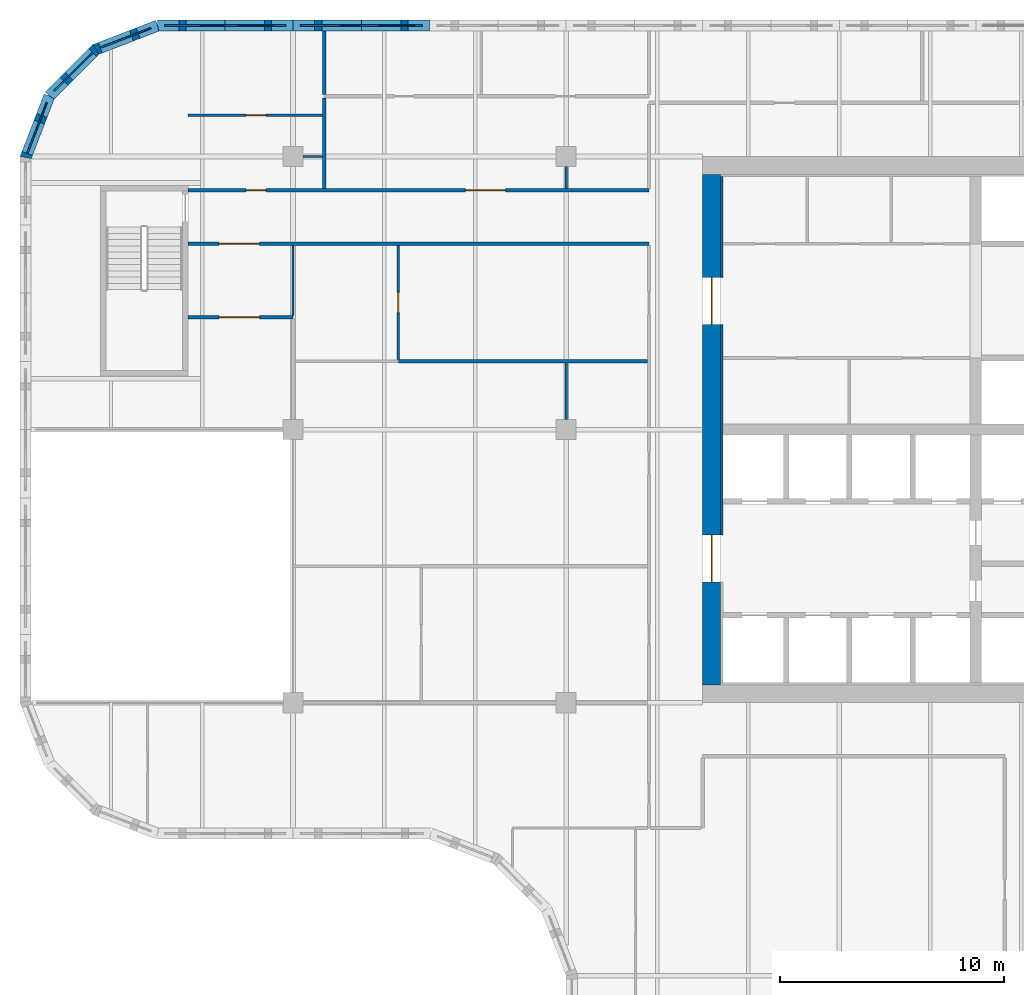
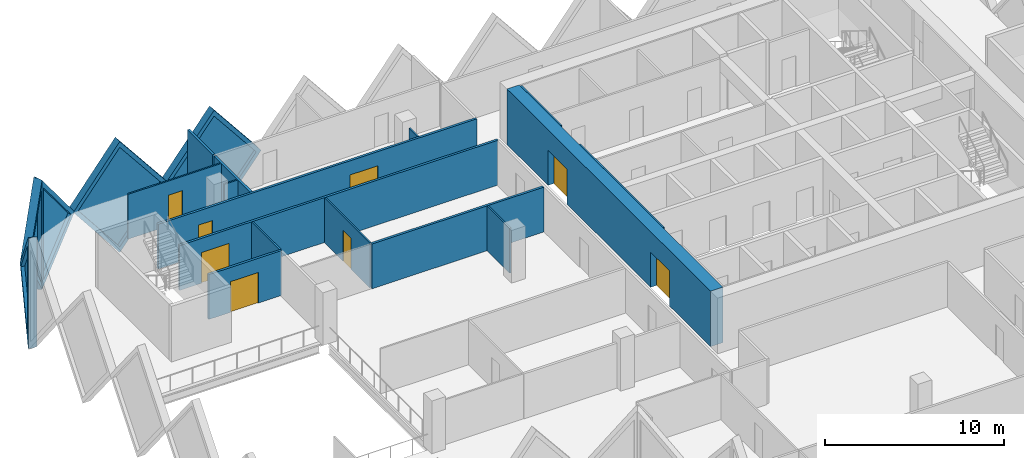
# One storey, part 8 of 19: 20 walls, 8 doors, 5 plates, 13 openings.
"""IFC4 building model written with IfcOpenShell, lengths in metres."""

from ifc_helpers import new_model, si_unit, direction, frame, frame_2d, origin, place, context, subcontext, project, spatial, polyline, rectangle, outline, extrude, faceted_brep, source, transform, mapped, material, layer, layer_set, type_object, element, fill, save


model = new_model("IFC4")

# Units and contexts
model_context = context("Model", 3, precision=1e-05, world=origin(), true_north=direction((0.0, 1.0)))
body_context = subcontext(model_context, "Body", "Model", "MODEL_VIEW")
ifc_project = project(units=[si_unit("LENGTHUNIT", "METRE"), si_unit("AREAUNIT", "SQUARE_METRE"), si_unit("VOLUMEUNIT", "CUBIC_METRE"), si_unit("PLANEANGLEUNIT", "RADIAN"), si_unit("MASSUNIT", "GRAM", prefix="KILO")], contexts=[model_context])

# Site, building, storey
site_placement = place(None, origin())
site = spatial("IfcSite", under=ifc_project, at=site_placement, CompositionType="ELEMENT")
building_placement = place(site_placement, origin())
building = spatial("IfcBuilding", under=site, at=building_placement, Name="Tessera Gate Towers", CompositionType="ELEMENT")
storey_placement = place(building_placement, frame((0.0, 0.0, 87.60009765625)))
storey = spatial("IfcBuildingStorey", under=building, at=storey_placement, Name="L21", CompositionType="ELEMENT", Elevation=87.60009765625)

# Wall, openings, doors
ifc_material_1 = material(Name="Concrete C60/75", Category="concrete")
ifc_layer_1 = layer(ifc_material_1, 0.800048828125)
ifc_layer_set_1 = layer_set([ifc_layer_1], Name="CORE SHEAR WALL 800 C60/75")
wall_type_1 = type_object("IfcWallType", Name="CORE SHEAR WALL 800 C60/75", PredefinedType="SHEAR", material=ifc_layer_set_1)
wall_1_placement = place(storey_placement, frame((30.89990234375, 25.199951171875, 0.0), z_axis=(0.0, 0.0, 1.0), x_axis=(0.0, 1.0, 0.0)))
wall_1 = element("IfcWall", 1, at=wall_1_placement, inside=storey, type_object=wall_type_1, Name="Core wall W L21", PredefinedType="SHEAR", context=body_context, shape_type="SweptSolid", body=[
    extrude(rectangle(XDim=22.800048828125, YDim=0.800048828125, at=frame_2d((11.39990234375, 0.0))), origin(), (0.0, 0.0, 1.0), 3.7998046875),
])
shared_shape_1 = source(origin(), body_context, "Body", "SweptSolid", [
    extrude(rectangle(XDim=2.10009765625, YDim=2.39990234375, at=frame_2d((1.050048828125, 1.199951171875))), frame((0.0, 0.409912109375, 0.0), z_axis=(0.0, -1.0, 0.0), x_axis=(1.0, 0.0, 0.0)), (0.0, 0.0, 1.0), 0.820068359375),
])
opening_1_placement = place(wall_1_placement, frame((4.60009765625, 0.0, 0.0)))
opening_1 = element("IfcOpeningElement", 2, at=opening_1_placement, cuts=wall_1, Name="Opening DD-T1-14-02", PredefinedType="OPENING", context=body_context, shape_type="MappedRepresentation", body=[
    mapped(shared_shape_1, transform((0.0, 0.0, 0.0), scale=1.0)),
])
opening_2_placement = place(wall_1_placement, frame((16.10009765625, 0.0, 0.0)))
opening_2 = element("IfcOpeningElement", 3, at=opening_2_placement, cuts=wall_1, Name="Opening DD-T1-14-03", PredefinedType="OPENING", context=body_context, shape_type="MappedRepresentation", body=[
    mapped(shared_shape_1, transform((0.0, 0.0, 0.0), scale=1.0)),
])
ifc_material_2 = material(Name="Hollow steel fire door", Category="steel")
door_type_1 = type_object("IfcDoorType", Name="CORE DOOR DD 2100x2400", OperationType="NOTDEFINED", PredefinedType="DOOR", material=ifc_material_2)
shared_shape_2 = source(origin(), body_context, "Body", "SweptSolid", [
    extrude(rectangle(XDim=2.10009765625, YDim=2.39990234375, at=frame_2d((1.050048828125, 1.199951171875))), frame((0.0, 0.02490234375, 0.0), z_axis=(0.0, -1.0, 0.0), x_axis=(1.0, 0.0, 0.0)), (0.0, 0.0, 1.0), 0.050048828125),
])
door_1_placement = place(opening_1_placement, origin())
door_1 = element("IfcDoor", 4, at=door_1_placement, inside=storey, type_object=door_type_1, Name="Core entrance door", OperationType="DOUBLE_DOOR_SINGLE_SWING", OverallHeight=2.39990234375, OverallWidth=2.10009765625, PredefinedType="DOOR", context=body_context, shape_type="MappedRepresentation", body=[
    mapped(shared_shape_2, transform((0.0, 0.0, 0.0), scale=1.0)),
])
fill(opening_1, door_1)
door_2_placement = place(opening_2_placement, origin())
door_2 = element("IfcDoor", 5, at=door_2_placement, inside=storey, type_object=door_type_1, Name="Core entrance door", OperationType="DOUBLE_DOOR_SINGLE_SWING", OverallHeight=2.39990234375, OverallWidth=2.10009765625, PredefinedType="DOOR", context=body_context, shape_type="MappedRepresentation", body=[
    mapped(shared_shape_2, transform((0.0, 0.0, 0.0), scale=1.0)),
])
fill(opening_2, door_2)

# Walls
ifc_material_3 = material(Name="Concrete C60/75", Category="concrete")
ifc_layer_2 = layer(ifc_material_3, 0.10009765625)
ifc_layer_set_2 = layer_set([ifc_layer_2], Name="CORE WALL THICKENING 100")
wall_type_2 = type_object("IfcWallType", Name="CORE WALL THICKENING 100", PredefinedType="SOLIDWALL", material=ifc_layer_set_2)
wall_2_placement = place(storey_placement, frame((31.35009765625, 31.89990234375, 0.0), z_axis=(0.0, 0.0, 1.0), x_axis=(0.0, 1.0, 0.0)))
element("IfcWall", 6, at=wall_2_placement, inside=storey, type_object=wall_type_2, Name="Core wall thickening W L21", PredefinedType="SOLIDWALL", context=body_context, shape_type="SweptSolid", body=[
    extrude(rectangle(XDim=9.400146484375, YDim=0.10009765625, at=frame_2d((4.7001953125, 0.0))), origin(), (0.0, 0.0, 1.0), 3.7998046875),
])
wall_3_placement = place(storey_placement, frame((31.35009765625, 43.39990234375, 0.0), z_axis=(0.0, 0.0, 1.0), x_axis=(0.0, 1.0, 0.0)))
element("IfcWall", 7, at=wall_3_placement, inside=storey, type_object=wall_type_2, Name="Core wall thickening W L21", PredefinedType="SOLIDWALL", context=body_context, shape_type="SweptSolid", body=[
    extrude(rectangle(XDim=4.5, YDim=0.10009765625, at=frame_2d((2.25, 0.0))), origin(), (0.0, 0.0, 1.0), 3.7998046875),
])

# Wall, opening, door
ifc_material_4 = material(Name="Gypsum board on steel studs, mineral wool", Category="steel")
ifc_layer_3 = layer(ifc_material_4, 0.14990234375)
ifc_layer_set_3 = layer_set([ifc_layer_3], Name="CORRIDOR WALL 150")
wall_type_3 = type_object("IfcWallType", Name="CORRIDOR WALL 150", PredefinedType="PARTITIONING", material=ifc_layer_set_3)
wall_4_placement = place(storey_placement, frame((28.10009765625, 44.89990234375, 0.0), z_axis=(0.0, 0.0, 1.0), x_axis=(-1.0, 0.0, 0.0)))
wall_4 = element("IfcWall", 8, at=wall_4_placement, inside=storey, type_object=wall_type_3, Name="T1-L21-PW-039", PredefinedType="PARTITIONING", context=body_context, shape_type="SweptSolid", body=[
    extrude(rectangle(XDim=20.60009765625, YDim=0.14990234375, at=frame_2d((10.300048828125, 0.0))), origin(), (0.0, 0.0, 1.0), 3.06689453125),
])
shared_shape_3 = source(origin(), body_context, "Body", "SweptSolid", [
    extrude(rectangle(XDim=1.800048828125, YDim=2.10009765625, at=frame_2d((0.89990234375, 1.050048828125))), frame((0.0, 0.0849609375, 0.0), z_axis=(0.0, -1.0, 0.0), x_axis=(1.0, 0.0, 0.0)), (0.0, 0.0, 1.0), 0.169921875),
])
opening_3_placement = place(wall_4_placement, frame((17.39990234375, 0.0, 0.0)))
opening_3 = element("IfcOpeningElement", 9, at=opening_3_placement, cuts=wall_4, Name="Opening D2180FD60-A07-01", PredefinedType="OPENING", context=body_context, shape_type="MappedRepresentation", body=[
    mapped(shared_shape_3, transform((0.0, 0.0, 0.0), scale=1.0)),
])
ifc_material_5 = material(Name="Timber door leaf in steel frame", Category="steel")
door_type_2 = type_object("IfcDoorType", Name="TENANCY ENTRANCE DOUBLE DOOR 1800 FD60", OperationType="NOTDEFINED", PredefinedType="DOOR", material=ifc_material_5)
shared_shape_4 = source(origin(), body_context, "Body", "SweptSolid", [
    extrude(rectangle(XDim=1.800048828125, YDim=2.10009765625, at=frame_2d((0.89990234375, 1.050048828125))), frame((0.0, 0.02490234375, 0.0), z_axis=(0.0, -1.0, 0.0), x_axis=(1.0, 0.0, 0.0)), (0.0, 0.0, 1.0), 0.050048828125),
])
door_3_placement = place(opening_3_placement, origin())
door_3 = element("IfcDoor", 10, at=door_3_placement, inside=storey, type_object=door_type_2, Name="T1-L21-PD-002", OperationType="DOUBLE_DOOR_SINGLE_SWING", OverallHeight=2.10009765625, OverallWidth=1.800048828125, PredefinedType="DOOR", context=body_context, shape_type="MappedRepresentation", body=[
    mapped(shared_shape_4, transform((0.0, 0.0, 0.0), scale=1.0)),
])
fill(opening_3, door_3)

# Wall, openings, doors
wall_5_placement = place(storey_placement, frame((7.5, 47.300048828125, 0.0), z_axis=(0.0, 0.0, 1.0), x_axis=(1.0, 0.0, 0.0)))
wall_5 = element("IfcWall", 11, at=wall_5_placement, inside=storey, type_object=wall_type_3, Name="T1-L21-PW-040", PredefinedType="PARTITIONING", context=body_context, shape_type="SweptSolid", body=[
    extrude(rectangle(XDim=20.60009765625, YDim=0.14990234375, at=frame_2d((10.300048828125, 0.0))), origin(), (0.0, 0.0, 1.0), 3.06689453125),
])
shared_shape_5 = source(origin(), body_context, "Body", "SweptSolid", [
    extrude(rectangle(XDim=0.89990234375, YDim=2.10009765625, at=frame_2d((0.449951171875, 1.050048828125))), frame((0.0, 0.0849609375, 0.0), z_axis=(0.0, -1.0, 0.0), x_axis=(1.0, 0.0, 0.0)), (0.0, 0.0, 1.0), 0.169921875),
])
opening_4_placement = place(wall_5_placement, frame((2.60009765625, 0.0, 0.0)))
opening_4 = element("IfcOpeningElement", 12, at=opening_4_placement, cuts=wall_5, Name="Opening D890FD60-A07-03", PredefinedType="OPENING", context=body_context, shape_type="MappedRepresentation", body=[
    mapped(shared_shape_5, transform((0.0, 0.0, 0.0), scale=1.0)),
])
opening_5_placement = place(wall_5_placement, frame((12.39990234375, 0.0, 0.0)))
opening_5 = element("IfcOpeningElement", 13, at=opening_5_placement, cuts=wall_5, Name="Opening D2180FD60-A07-02", PredefinedType="OPENING", context=body_context, shape_type="MappedRepresentation", body=[
    mapped(shared_shape_3, transform((0.0, 0.0, 0.0), scale=1.0)),
])
ifc_material_6 = material(Name="Timber door leaf in steel frame", Category="steel")
door_type_3 = type_object("IfcDoorType", Name="CORRIDOR DOOR 900 FD60", OperationType="NOTDEFINED", PredefinedType="DOOR", material=ifc_material_6)
shared_shape_6 = source(origin(), body_context, "Body", "SweptSolid", [
    extrude(rectangle(XDim=0.89990234375, YDim=2.10009765625, at=frame_2d((0.449951171875, 1.050048828125))), frame((0.0, 0.02490234375, 0.0), z_axis=(0.0, -1.0, 0.0), x_axis=(1.0, 0.0, 0.0)), (0.0, 0.0, 1.0), 0.050048828125),
])
door_4_placement = place(opening_4_placement, origin())
door_4 = element("IfcDoor", 14, at=door_4_placement, inside=storey, type_object=door_type_3, Name="T1-L21-PD-011", OperationType="SINGLE_SWING_LEFT", OverallHeight=2.10009765625, OverallWidth=0.89990234375, PredefinedType="DOOR", context=body_context, shape_type="MappedRepresentation", body=[
    mapped(shared_shape_6, transform((0.0, 0.0, 0.0), scale=1.0)),
])
fill(opening_4, door_4)
door_5_placement = place(opening_5_placement, origin())
door_5 = element("IfcDoor", 15, at=door_5_placement, inside=storey, type_object=door_type_2, Name="T1-L21-PD-026", OperationType="DOUBLE_DOOR_SINGLE_SWING", OverallHeight=2.10009765625, OverallWidth=1.800048828125, PredefinedType="DOOR", context=body_context, shape_type="MappedRepresentation", body=[
    mapped(shared_shape_4, transform((0.0, 0.0, 0.0), scale=1.0)),
])
fill(opening_5, door_5)

# Wall, opening, door
ifc_material_7 = material(Name="Glass", Category="glass")
ifc_layer_4 = layer(ifc_material_7, 0.10009765625)
ifc_layer_set_4 = layer_set([ifc_layer_4], Name="GLAZED PARTITION 100")
wall_type_4 = type_object("IfcWallType", Name="GLAZED PARTITION 100", PredefinedType="PARTITIONING", material=ifc_layer_set_4)
wall_6_placement = place(storey_placement, frame((16.89990234375, 39.72607421875, 0.0), z_axis=(0.0, 0.0, 1.0), x_axis=(0.0, 1.0, 0.0)))
wall_6 = element("IfcWall", 16, at=wall_6_placement, inside=storey, type_object=wall_type_4, Name="T1-L21-PW-036", PredefinedType="PARTITIONING", context=body_context, shape_type="SweptSolid", body=[
    extrude(rectangle(XDim=5.097900390625, YDim=0.10009765625, at=frame_2d((2.548828125, 0.0))), origin(), (0.0, 0.0, 1.0), 3.06689453125),
])
shared_shape_7 = source(origin(), body_context, "Body", "SweptSolid", [
    extrude(rectangle(XDim=0.89990234375, YDim=2.10009765625, at=frame_2d((0.449951171875, 1.050048828125))), frame((0.0, 0.06005859375, 0.0), z_axis=(0.0, -1.0, 0.0), x_axis=(1.0, 0.0, 0.0)), (0.0, 0.0, 1.0), 0.1201171875),
])
opening_6_placement = place(wall_6_placement, frame((2.10009765625, 0.0, 0.0)))
opening_6 = element("IfcOpeningElement", 17, at=opening_6_placement, cuts=wall_6, Name="Opening D690-A07-01", PredefinedType="OPENING", context=body_context, shape_type="MappedRepresentation", body=[
    mapped(shared_shape_7, transform((0.0, 0.0, 0.0), scale=1.0)),
])
ifc_material_8 = material(Name="Glass in aluminium frame", Category="aluminium")
door_type_4 = type_object("IfcDoorType", Name="GLAZED DOOR 900 NOT RATED", OperationType="NOTDEFINED", PredefinedType="DOOR", material=ifc_material_8)
door_6_placement = place(opening_6_placement, origin())
door_6 = element("IfcDoor", 18, at=door_6_placement, inside=storey, type_object=door_type_4, Name="T1-L21-PD-004", OperationType="SINGLE_SWING_LEFT", OverallHeight=2.10009765625, OverallWidth=0.89990234375, PredefinedType="DOOR", context=body_context, shape_type="MappedRepresentation", body=[
    mapped(shared_shape_6, transform((0.0, 0.0, 0.0), scale=1.0)),
])
fill(opening_6, door_6)

# Wall
wall_7_placement = place(storey_placement, frame((12.199951171875, 41.700927734375, 0.0), z_axis=(0.0, 0.0, 1.0), x_axis=(0.0, 1.0, 0.0)))
element("IfcWall", 19, at=wall_7_placement, inside=storey, type_object=wall_type_4, Name="T1-L21-PW-038", PredefinedType="PARTITIONING", context=body_context, shape_type="SweptSolid", body=[
    extrude(rectangle(XDim=3.123046875, YDim=0.10009765625, at=frame_2d((1.5615234375, 0.0))), origin(), (0.0, 0.0, 1.0), 3.06689453125),
])

# Wall, opening, door
wall_8_placement = place(storey_placement, frame((7.5, 50.64990234375, 0.0), z_axis=(0.0, 0.0, 1.0), x_axis=(1.0, 0.0, 0.0)))
wall_8 = element("IfcWall", 20, at=wall_8_placement, inside=storey, type_object=wall_type_4, Name="T1-L21-PW-045", PredefinedType="PARTITIONING", context=body_context, shape_type="SweptSolid", body=[
    extrude(rectangle(XDim=6.02392578125, YDim=0.10009765625, at=frame_2d((3.011962890625, 0.0))), origin(), (0.0, 0.0, 1.0), 3.06689453125),
])
opening_7_placement = place(wall_8_placement, frame((2.60009765625, 0.0, 0.0)))
opening_7 = element("IfcOpeningElement", 21, at=opening_7_placement, cuts=wall_8, Name="Opening D690-A07-05", PredefinedType="OPENING", context=body_context, shape_type="MappedRepresentation", body=[
    mapped(shared_shape_7, transform((0.0, 0.0, 0.0), scale=1.0)),
])
door_7_placement = place(opening_7_placement, origin())
door_7 = element("IfcDoor", 22, at=door_7_placement, inside=storey, type_object=door_type_4, Name="T1-L21-PD-010", OperationType="SINGLE_SWING_LEFT", OverallHeight=2.10009765625, OverallWidth=0.89990234375, PredefinedType="DOOR", context=body_context, shape_type="MappedRepresentation", body=[
    mapped(shared_shape_6, transform((0.0, 0.0, 0.0), scale=1.0)),
])
fill(opening_7, door_7)

# Walls
ifc_material_9 = material(Name="Gypsum board on steel studs", Category="steel")
ifc_layer_5 = layer(ifc_material_9, 0.10009765625)
ifc_layer_set_5 = layer_set([ifc_layer_5], Name="PARTITION 100")
wall_type_5 = type_object("IfcWallType", Name="PARTITION 100", PredefinedType="PARTITIONING", material=ifc_layer_set_5)
wall_9_placement = place(storey_placement, frame((24.39990234375, 37.050048828125, 0.0), z_axis=(0.0, 0.0, 1.0), x_axis=(0.0, 1.0, 0.0)))
element("IfcWall", 23, at=wall_9_placement, inside=storey, type_object=wall_type_5, Name="T1-L21-PW-033", PredefinedType="PARTITIONING", context=body_context, shape_type="SweptSolid", body=[
    extrude(rectangle(XDim=2.52490234375, YDim=0.10009765625, at=frame_2d((1.262451171875, 0.0))), origin(), (0.0, 0.0, 1.0), 3.06689453125),
])
wall_10_placement = place(storey_placement, frame((24.39990234375, 48.35009765625, 0.0), z_axis=(0.0, 0.0, 1.0), x_axis=(0.0, -1.0, 0.0)))
element("IfcWall", 24, at=wall_10_placement, inside=storey, type_object=wall_type_5, Name="T1-L21-PW-043", PredefinedType="PARTITIONING", context=body_context, shape_type="SweptSolid", body=[
    extrude(rectangle(XDim=0.97509765625, YDim=0.10009765625, at=frame_2d((0.487548828125, 0.0))), origin(), (0.0, 0.0, 1.0), 3.06689453125),
])
wall_11_placement = place(storey_placement, frame((12.64990234375, 48.800048828125, 0.0), z_axis=(0.0, 0.0, 1.0), x_axis=(1.0, 0.0, 0.0)))
element("IfcWall", 25, at=wall_11_placement, inside=storey, type_object=wall_type_5, Name="T1-L21-PW-044", PredefinedType="PARTITIONING", context=body_context, shape_type="SweptSolid", body=[
    extrude(rectangle(XDim=0.875, YDim=0.10009765625, at=frame_2d((0.4375, 0.0))), origin(), (0.0, 0.0, 1.0), 3.06689453125),
])
ifc_material_10 = material(Name="Gypsum board on steel studs, mineral wool", Category="steel")
ifc_layer_6 = layer(ifc_material_10, 0.14990234375)
ifc_layer_set_6 = layer_set([ifc_layer_6], Name="TENANCY WALL 150")
wall_type_6 = type_object("IfcWallType", Name="TENANCY WALL 150", PredefinedType="PARTITIONING", material=ifc_layer_set_6)
wall_12_placement = place(storey_placement, frame((16.89990234375, 39.64990234375, 0.0), z_axis=(0.0, 0.0, 1.0), x_axis=(1.0, 0.0, 0.0)))
element("IfcWall", 26, at=wall_12_placement, inside=storey, type_object=wall_type_6, Name="T1-L21-PW-035", PredefinedType="PARTITIONING", context=body_context, shape_type="SweptSolid", body=[
    extrude(rectangle(XDim=11.1240234375, YDim=0.14990234375, at=frame_2d((5.56201171875, 0.0))), origin(), (0.0, 0.0, 1.0), 3.06689453125),
])

# Wall, opening, door
wall_13_placement = place(storey_placement, frame((12.199951171875, 41.625, 0.0), z_axis=(0.0, 0.0, 1.0), x_axis=(-1.0, 0.0, 0.0)))
wall_13 = element("IfcWall", 27, at=wall_13_placement, inside=storey, type_object=wall_type_6, Name="T1-L21-PW-037", PredefinedType="PARTITIONING", context=body_context, shape_type="SweptSolid", body=[
    extrude(rectangle(XDim=4.699951171875, YDim=0.14990234375, at=frame_2d((2.35009765625, 0.0))), origin(), (0.0, 0.0, 1.0), 3.06689453125),
])
opening_8_placement = place(wall_13_placement, frame((1.5, 0.0, 0.0)))
opening_8 = element("IfcOpeningElement", 28, at=opening_8_placement, cuts=wall_13, Name="Opening D7180-A07-01", PredefinedType="OPENING", context=body_context, shape_type="MappedRepresentation", body=[
    mapped(shared_shape_3, transform((0.0, 0.0, 0.0), scale=1.0)),
])
ifc_material_11 = material(Name="Timber door leaf in steel frame", Category="steel")
door_type_5 = type_object("IfcDoorType", Name="DOUBLE DOOR 1800 NOT RATED", OperationType="NOTDEFINED", PredefinedType="DOOR", material=ifc_material_11)
door_8_placement = place(opening_8_placement, origin())
door_8 = element("IfcDoor", 29, at=door_8_placement, inside=storey, type_object=door_type_5, Name="T1-L21-PD-003", OperationType="DOUBLE_DOOR_SINGLE_SWING", OverallHeight=2.10009765625, OverallWidth=1.800048828125, PredefinedType="DOOR", context=body_context, shape_type="MappedRepresentation", body=[
    mapped(shared_shape_4, transform((0.0, 0.0, 0.0), scale=1.0)),
])
fill(opening_8, door_8)

# Walls
wall_14_placement = place(storey_placement, frame((13.60009765625, 47.3759765625, 0.0), z_axis=(0.0, 0.0, 1.0), x_axis=(0.0, 1.0, 0.0)))
element("IfcWall", 30, at=wall_14_placement, inside=storey, type_object=wall_type_6, Name="T1-L21-PW-041", PredefinedType="PARTITIONING", context=body_context, shape_type="SweptSolid", body=[
    extrude(rectangle(XDim=4.048095703125, YDim=0.14990234375, at=frame_2d((2.02392578125, 0.0))), origin(), (0.0, 0.0, 1.0), 3.06689453125),
])
wall_15_placement = place(storey_placement, frame((13.60009765625, 51.575927734375, 0.0), z_axis=(0.0, 0.0, 1.0), x_axis=(0.0, 1.0, 0.0)))
element("IfcWall", 31, at=wall_15_placement, inside=storey, type_object=wall_type_6, Name="T1-L21-PW-050", PredefinedType="PARTITIONING", context=body_context, shape_type="SweptSolid", body=[
    extrude(rectangle(XDim=2.823974609375, YDim=0.14990234375, at=frame_2d((1.412109375, 0.0))), origin(), (0.0, 0.0, 1.0), 3.06689453125),
])

# Wall, opening, plate
ifc_material_12 = material(Name="Precast concrete C60/75 white", Category="concrete")
ifc_layer_7 = layer(ifc_material_12, 0.5)
ifc_layer_set_7 = layer_set([ifc_layer_7], Name="TS1 tessera")
wall_type_7 = type_object("IfcWallType", Name="TS1 tessera", PredefinedType="SOLIDWALL", material=ifc_layer_set_7)
shared_shape_8 = source(origin(), body_context, "Body", "SweptSolid", [
    extrude(outline(polyline([(3.050048828125, 0.0), (6.10009765625, 3.800048828125), (3.050048828125, 7.599853515625), (0.0, 3.800048828125), (3.050048828125, 0.0)])), frame((0.0, 0.25, 0.0), z_axis=(0.0, -1.0, 0.0), x_axis=(1.0, 0.0, 0.0)), (0.0, 0.0, 1.0), 0.5),
])
wall_16_placement = place(storey_placement, frame((18.300048828125, 54.64990234375, -3.800048828125), z_axis=(0.0, 0.0, 1.0), x_axis=(-1.0, 0.0, 0.0)))
wall_16 = element("IfcWall", 32, at=wall_16_placement, inside=storey, type_object=wall_type_7, Name="Precast tessera T1 TS1-0338", PredefinedType="SOLIDWALL", context=body_context, shape_type="MappedRepresentation", body=[
    mapped(shared_shape_8, transform((0.0, 0.0, 0.0), scale=1.0)),
])
shared_shape_9 = source(origin(), body_context, "Body", "SweptSolid", [
    extrude(outline(polyline([(3.050048828125, 0.3994140625), (5.779541015625, 3.800048828125), (3.050048828125, 7.200439453125), (0.320556640625, 3.800048828125), (3.050048828125, 0.3994140625)])), frame((0.0, 0.260009765625, 0.0), z_axis=(0.0, -1.0, 0.0), x_axis=(1.0, 0.0, 0.0)), (0.0, 0.0, 1.0), 0.52001953125),
])
opening_9_placement = place(wall_16_placement, origin())
opening_9 = element("IfcOpeningElement", 33, at=opening_9_placement, cuts=wall_16, Name="Opening T1-PL2-0682", PredefinedType="OPENING", context=body_context, shape_type="MappedRepresentation", body=[
    mapped(shared_shape_9, transform((0.0, 0.0, 0.0), scale=1.0)),
])
ifc_material_13 = material(Name="Low-e laminated glass", Category="glass")
ifc_layer_8 = layer(ifc_material_13, 0.06005859375)
ifc_layer_set_8 = layer_set([ifc_layer_8], Name="PL2 rhombic pane")
plate_type = type_object("IfcPlateType", Name="PL2 rhombic pane", PredefinedType="SHEET", material=ifc_layer_set_8)
shared_shape_10 = source(origin(), body_context, "Body", "SweptSolid", [
    extrude(outline(polyline([(3.050048828125, 0.3994140625), (5.779541015625, 3.800048828125), (3.050048828125, 7.200439453125), (0.320556640625, 3.800048828125), (3.050048828125, 0.3994140625)])), frame((0.0, 0.030029296875, 0.0), z_axis=(0.0, -1.0, 0.0), x_axis=(1.0, 0.0, 0.0)), (0.0, 0.0, 1.0), 0.06005859375),
])
plate_1_placement = place(opening_9_placement, origin())
plate_1 = element("IfcPlate", 34, at=plate_1_placement, inside=storey, type_object=plate_type, Name="Glass pane T1 PL2-0682", PredefinedType="SHEET", context=body_context, shape_type="MappedRepresentation", body=[
    mapped(shared_shape_10, transform((0.0, 0.0, 0.0), scale=1.0)),
])
fill(opening_9, plate_1)

shared_shape_11 = source(origin(), body_context, "Body", "Brep", [
    faceted_brep([(3.050048828125, -0.25, 0.0), (6.053466796875, -0.25, 3.800048828125), (3.050048828125, -0.25, 7.599853515625), (0.0, -0.25, 3.800048828125), (0.0, 0.25, 3.800048828125), (3.050048828125, 0.25, 7.599853515625), (6.0068359375, 0.25, 3.85888671875), (6.0068359375, 0.25, 3.7412109375), (3.050048828125, 0.25, 0.0), (6.053466796875, 0.0, 3.800048828125)], [[[0, 1, 2, 3]], [[4, 5, 6, 7, 8]], [[8, 7, 9, 1, 0]], [[6, 5, 2, 1, 9]], [[5, 4, 3, 2]], [[4, 8, 0, 3]], [[7, 6, 9]]]),
])
wall_17_placement = place(storey_placement, frame((12.199951171875, 54.64990234375, -3.800048828125), z_axis=(0.0, 0.0, 1.0), x_axis=(-1.0, 0.0, 0.0)))
wall_17 = element("IfcWall", 35, at=wall_17_placement, inside=storey, type_object=wall_type_7, Name="Precast tessera T1 TS1-0339", PredefinedType="SOLIDWALL", context=body_context, shape_type="MappedRepresentation", body=[
    mapped(shared_shape_11, transform((0.0, 0.0, 0.0), scale=1.0)),
])
shared_shape_12 = source(origin(), body_context, "Body", "SweptSolid", [
    extrude(outline(polyline([(3.048583984375, 0.401123046875), (5.73486328125, 3.800048828125), (3.048583984375, 7.19873046875), (0.320556640625, 3.800048828125), (3.048583984375, 0.401123046875)])), frame((0.0, 0.260009765625, 0.0), z_axis=(0.0, -1.0, 0.0), x_axis=(1.0, 0.0, 0.0)), (0.0, 0.0, 1.0), 0.52001953125),
])
opening_10_placement = place(wall_17_placement, origin())
opening_10 = element("IfcOpeningElement", 36, at=opening_10_placement, cuts=wall_17, Name="Opening T1-PL2-0683", PredefinedType="OPENING", context=body_context, shape_type="MappedRepresentation", body=[
    mapped(shared_shape_12, transform((0.0, 0.0, 0.0), scale=1.0)),
])
shared_shape_13 = source(origin(), body_context, "Body", "SweptSolid", [
    extrude(outline(polyline([(3.048583984375, 0.401123046875), (5.73486328125, 3.800048828125), (3.048583984375, 7.19873046875), (0.320556640625, 3.800048828125), (3.048583984375, 0.401123046875)])), frame((0.0, 0.030029296875, 0.0), z_axis=(0.0, -1.0, 0.0), x_axis=(1.0, 0.0, 0.0)), (0.0, 0.0, 1.0), 0.06005859375),
])
plate_2_placement = place(opening_10_placement, origin())
plate_2 = element("IfcPlate", 37, at=plate_2_placement, inside=storey, type_object=plate_type, Name="Glass pane T1 PL2-0683", PredefinedType="SHEET", context=body_context, shape_type="MappedRepresentation", body=[
    mapped(shared_shape_13, transform((0.0, 0.0, 0.0), scale=1.0)),
])
fill(opening_10, plate_2)

ifc_material_14 = material(Name="Precast concrete C60/75 white", Category="concrete")
ifc_layer_9 = layer(ifc_material_14, 0.5)
ifc_layer_set_9 = layer_set([ifc_layer_9], Name="TS3 corner tessera")
wall_type_8 = type_object("IfcWallType", Name="TS3 corner tessera", PredefinedType="SOLIDWALL", material=ifc_layer_set_9)
shared_shape_14 = source(origin(), body_context, "Body", "Brep", [
    faceted_brep([(2.950439453125, -0.25, 0.0), (3.00341796875, -0.25, 0.068359375), (3.00341796875, -0.25, 7.531494140625), (2.950439453125, -0.25, 7.599853515625), (0.0, -0.25, 3.800048828125), (0.046630859375, 0.25, 3.860107421875), (2.897705078125, 0.25, 7.53173828125), (2.897705078125, 0.25, 0.068115234375), (0.046630859375, 0.25, 3.739990234375), (2.950439453125, 0.00048828125, 0.0), (2.950439453125, 0.00048828125, 7.599853515625), (0.0, 0.0, 3.800048828125)], [[[0, 1, 2, 3, 4]], [[5, 6, 7, 8]], [[1, 0, 9]], [[10, 3, 2]], [[6, 5, 11, 4, 3, 10]], [[8, 7, 9, 0, 4, 11]], [[8, 11, 5]], [[1, 9, 7, 6, 10, 2]]]),
])
wall_18_placement = place(storey_placement, frame((6.146484375, 54.64990234375, -3.800048828125), z_axis=(0.0, 0.0, 1.0), x_axis=(-0.932997369089, -0.359883188373, 0.0)))
wall_18 = element("IfcWall", 38, at=wall_18_placement, inside=storey, type_object=wall_type_8, Name="Precast corner tessera T1 TS3-0465", PredefinedType="SOLIDWALL", context=body_context, shape_type="MappedRepresentation", body=[
    mapped(shared_shape_14, transform((0.0, 0.0, 0.0), scale=1.0)),
])
shared_shape_15 = source(origin(), body_context, "Body", "SweptSolid", [
    extrude(outline(polyline([(2.75048828125, 6.934814453125), (0.31640625, 3.800048828125), (2.75048828125, 0.665283203125), (2.75048828125, 6.934814453125)])), frame((0.0, 0.260009765625, 0.0), z_axis=(0.0, -1.0, 0.0), x_axis=(1.0, 0.0, 0.0)), (0.0, 0.0, 1.0), 0.52001953125),
])
opening_11_placement = place(wall_18_placement, origin())
opening_11 = element("IfcOpeningElement", 39, at=opening_11_placement, cuts=wall_18, Name="Opening T1-PL2-0684", PredefinedType="OPENING", context=body_context, shape_type="MappedRepresentation", body=[
    mapped(shared_shape_15, transform((0.0, 0.0, 0.0), scale=1.0)),
])
shared_shape_16 = source(origin(), body_context, "Body", "SweptSolid", [
    extrude(outline(polyline([(2.75048828125, 6.934814453125), (0.31640625, 3.800048828125), (2.75048828125, 0.665283203125), (2.75048828125, 6.934814453125)])), frame((0.0, 0.030029296875, 0.0), z_axis=(0.0, -1.0, 0.0), x_axis=(1.0, 0.0, 0.0)), (0.0, 0.0, 1.0), 0.06005859375),
])
plate_3_placement = place(opening_11_placement, origin())
plate_3 = element("IfcPlate", 40, at=plate_3_placement, inside=storey, type_object=plate_type, Name="Glass pane T1 PL2-0684", PredefinedType="SHEET", context=body_context, shape_type="MappedRepresentation", body=[
    mapped(shared_shape_16, transform((0.0, 0.0, 0.0), scale=1.0)),
])
fill(opening_11, plate_3)

shared_shape_17 = source(origin(), body_context, "Body", "Brep", [
    faceted_brep([(0.052978515625, -0.25, 0.0), (2.9970703125, -0.25, 3.800048828125), (0.052978515625, -0.25, 7.599853515625), (0.0, -0.25, 7.53173828125), (0.0, -0.25, 0.068115234375), (0.10595703125, 0.25, 7.531494140625), (2.944091796875, 0.25, 3.8681640625), (2.944091796875, 0.25, 3.73193359375), (0.10595703125, 0.25, 0.068359375), (2.9970703125, 0.000244140625, 3.800048828125), (0.052978515625, 0.0, 0.0), (0.052978515625, 0.0, 7.599853515625)], [[[0, 1, 2, 3, 4]], [[5, 6, 7, 8]], [[8, 7, 9, 1, 0, 10]], [[6, 5, 11, 2, 1, 9]], [[3, 2, 11]], [[10, 0, 4]], [[8, 10, 4, 3, 11, 5]], [[7, 6, 9]]]),
])
wall_19_placement = place(storey_placement, frame((3.43115234375, 53.62548828125, -3.800048828125), z_axis=(0.0, 0.0, 1.0), x_axis=(-0.707106781187, -0.707106781187, 0.0)))
wall_19 = element("IfcWall", 41, at=wall_19_placement, inside=storey, type_object=wall_type_8, Name="Precast corner tessera T1 TS3-0466", PredefinedType="SOLIDWALL", context=body_context, shape_type="MappedRepresentation", body=[
    mapped(shared_shape_17, transform((0.0, 0.0, 0.0), scale=1.0)),
])
shared_shape_18 = source(origin(), body_context, "Body", "SweptSolid", [
    extrude(outline(polyline([(0.2529296875, 0.666259765625), (2.680908203125, 3.800048828125), (0.2529296875, 6.93359375), (0.2529296875, 0.666259765625)])), frame((0.0, 0.260009765625, 0.0), z_axis=(0.0, -1.0, 0.0), x_axis=(1.0, 0.0, 0.0)), (0.0, 0.0, 1.0), 0.52001953125),
])
opening_12_placement = place(wall_19_placement, origin())
opening_12 = element("IfcOpeningElement", 42, at=opening_12_placement, cuts=wall_19, Name="Opening T1-PL2-0685", PredefinedType="OPENING", context=body_context, shape_type="MappedRepresentation", body=[
    mapped(shared_shape_18, transform((0.0, 0.0, 0.0), scale=1.0)),
])
shared_shape_19 = source(origin(), body_context, "Body", "SweptSolid", [
    extrude(outline(polyline([(0.2529296875, 0.666259765625), (2.680908203125, 3.800048828125), (0.2529296875, 6.93359375), (0.2529296875, 0.666259765625)])), frame((0.0, 0.030029296875, 0.0), z_axis=(0.0, -1.0, 0.0), x_axis=(1.0, 0.0, 0.0)), (0.0, 0.0, 1.0), 0.06005859375),
])
plate_4_placement = place(opening_12_placement, origin())
plate_4 = element("IfcPlate", 43, at=plate_4_placement, inside=storey, type_object=plate_type, Name="Glass pane T1 PL2-0685", PredefinedType="SHEET", context=body_context, shape_type="MappedRepresentation", body=[
    mapped(shared_shape_19, transform((0.0, 0.0, 0.0), scale=1.0)),
])
fill(opening_12, plate_4)

shared_shape_20 = source(origin(), body_context, "Body", "Brep", [
    faceted_brep([(2.950439453125, -0.25, 0.0), (2.9970703125, -0.25, 0.05908203125), (2.9970703125, -0.25, 7.540771484375), (2.950439453125, -0.25, 7.599853515625), (0.0, -0.25, 3.800048828125), (0.052978515625, 0.25, 3.8681640625), (2.904052734375, 0.25, 7.5400390625), (2.904052734375, 0.25, 0.059814453125), (0.052978515625, 0.25, 3.73193359375), (2.950439453125, 0.00048828125, 0.0), (2.950439453125, 0.00048828125, 7.599853515625), (0.0, 0.0, 3.800048828125)], [[[0, 1, 2, 3, 4]], [[5, 6, 7, 8]], [[1, 0, 9]], [[10, 3, 2]], [[6, 5, 11, 4, 3, 10]], [[8, 7, 9, 0, 4, 11]], [[8, 11, 5]], [[1, 9, 7, 6, 10, 2]]]),
])
wall_20_placement = place(storey_placement, frame((1.31201171875, 51.50634765625, -3.800048828125), z_axis=(0.0, 0.0, 1.0), x_axis=(-0.359944998003, -0.932973525033, 0.0)))
wall_20 = element("IfcWall", 44, at=wall_20_placement, inside=storey, type_object=wall_type_8, Name="Precast corner tessera T1 TS3-0467", PredefinedType="SOLIDWALL", context=body_context, shape_type="MappedRepresentation", body=[
    mapped(shared_shape_20, transform((0.0, 0.0, 0.0), scale=1.0)),
])
opening_13_placement = place(wall_20_placement, origin())
opening_13 = element("IfcOpeningElement", 45, at=opening_13_placement, cuts=wall_20, Name="Opening T1-PL2-0686", PredefinedType="OPENING", context=body_context, shape_type="MappedRepresentation", body=[
    mapped(shared_shape_15, transform((0.0, 0.0, 0.0), scale=1.0)),
])
plate_5_placement = place(opening_13_placement, origin())
plate_5 = element("IfcPlate", 46, at=plate_5_placement, inside=storey, type_object=plate_type, Name="Glass pane T1 PL2-0686", PredefinedType="SHEET", context=body_context, shape_type="MappedRepresentation", body=[
    mapped(shared_shape_16, transform((0.0, 0.0, 0.0), scale=1.0)),
])
fill(opening_13, plate_5)

save(model, "model.ifc")
